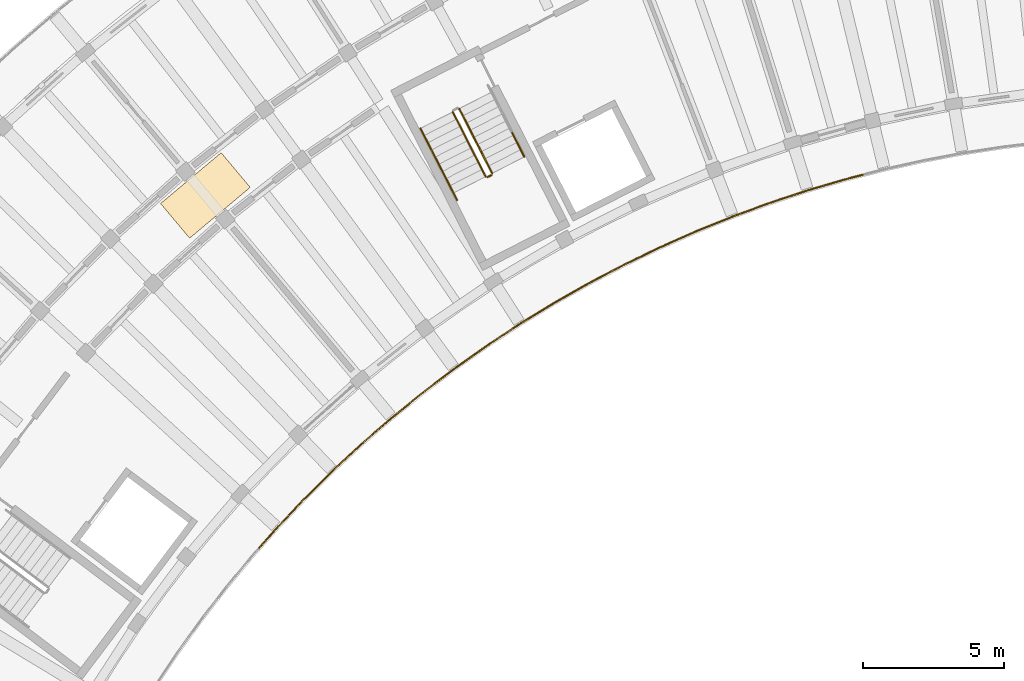
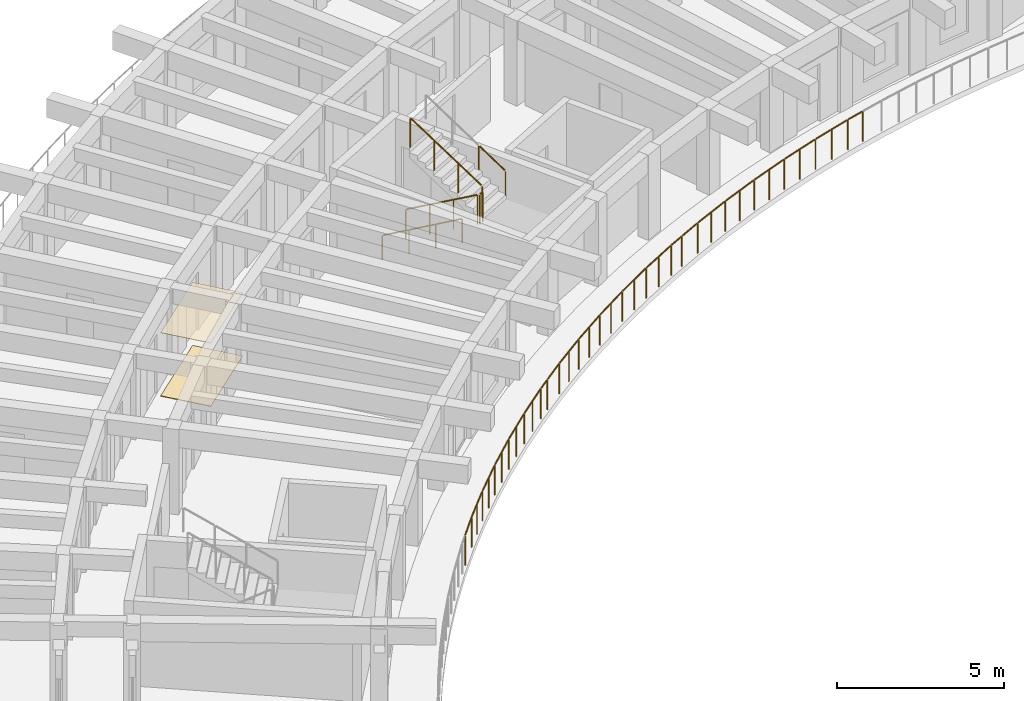
# One storey, part 72 of 83: 10 railings, 2 coverings.
"""IFC4 building model written with IfcOpenShell, lengths in metres."""

from ifc_helpers import new_model, si_unit, direction, frame, origin, origin_2d, place, context, subcontext, project, spatial, rectangle, circle, extrude, material, layer, layer_set, type_object, element, save


model = new_model("IFC4")

# Units and contexts
model_context = context("Model", 3, precision=1e-05, world=origin(), true_north=direction((0.0, 1.0)))
body_context = subcontext(model_context, "Body", "Model", "MODEL_VIEW")
ifc_project = project(units=[si_unit("LENGTHUNIT", "METRE"), si_unit("AREAUNIT", "SQUARE_METRE"), si_unit("VOLUMEUNIT", "CUBIC_METRE"), si_unit("PLANEANGLEUNIT", "RADIAN"), si_unit("MASSUNIT", "GRAM", prefix="KILO")], contexts=[model_context])

# Site, building, storey
site_placement = place(None, origin())
site = spatial("IfcSite", under=ifc_project, at=site_placement, CompositionType="ELEMENT")
building_placement = place(site_placement, origin())
building = spatial("IfcBuilding", under=site, at=building_placement, Name="Tanwirah Colonnade Gardens", CompositionType="ELEMENT")
storey_placement = place(building_placement, frame((0.0, 0.0, 25.639892578125)))
storey = spatial("IfcBuildingStorey", under=building, at=storey_placement, Name="L07", CompositionType="ELEMENT", Elevation=25.639892578125)

# Railings
ifc_material_1 = material(Name="Precast concrete C40/50", Category="concrete")
railing_type_1 = type_object("IfcRailingType", Name="BAL-EXT112", PredefinedType="BALUSTRADE", material=ifc_material_1)
railing_1_placement = place(storey_placement, frame((54.236083984375, 101.494384765625, 0.0)))
element("IfcRailing", 1, at=railing_1_placement, inside=storey, type_object=railing_type_1, Name="Block A L07 Balcony Ribbon Balustrade 2", PredefinedType="BALUSTRADE", context=body_context, shape_type="SweptSolid", body=[
    extrude(circle(Radius=0.02392578125, at=origin_2d()), frame((-0.0302734375, -0.0078125, 1.09619140625), z_axis=(-0.968166647099, -0.250306499006, 0.0), x_axis=(0.250306499006, -0.968166647099, 0.0)), (0.0, 0.0, 1.0), 0.557861328125),
    extrude(circle(Radius=0.02392578125, at=origin_2d()), frame((-0.63330078125, -0.164794921875, 1.09619140625), z_axis=(-0.959362733044, -0.282175736812, 0.0), x_axis=(0.282175736812, -0.959362733044, 0.0)), (0.0, 0.0, 1.0), 1.341796875),
    extrude(circle(Radius=0.02392578125, at=origin_2d()), frame((-1.98291015625, -0.562744140625, 1.09619140625), z_axis=(-0.949531842797, -0.313670654533, 0.0), x_axis=(0.313670654533, -0.949531842797, 0.0)), (0.0, 0.0, 1.0), 1.341552734375),
    extrude(circle(Radius=0.02392578125, at=origin_2d()), frame((-3.318359375, -1.005126953125, 1.09619140625), z_axis=(-0.93868698515, -0.344770567059, 0.0), x_axis=(0.344770567059, -0.93868698515, 0.0)), (0.0, 0.0, 1.0), 1.341796875),
    extrude(circle(Radius=0.02392578125, at=origin_2d()), frame((-4.638671875, -1.4912109375, 1.09619140625), z_axis=(-0.92683738147, -0.375463005247, 0.0), x_axis=(0.375463005247, -0.92683738147, 0.0)), (0.0, 0.0, 1.0), 1.342041015625),
    extrude(circle(Radius=0.02392578125, at=origin_2d()), frame((-5.942138671875, -2.0205078125, 1.09619140625), z_axis=(-0.913997826773, -0.40571908096, 0.0), x_axis=(0.40571908096, -0.913997826773, 0.0)), (0.0, 0.0, 1.0), 1.342041015625),
    extrude(circle(Radius=0.02392578125, at=origin_2d()), frame((-7.2275390625, -2.592529296875, 1.09619140625), z_axis=(-0.900038195948, -0.435811020783, 0.0), x_axis=(0.435811020783, -0.900038195948, 0.0)), (0.0, 0.0, 1.0), 0.779541015625),
    extrude(circle(Radius=0.02099609375, at=origin_2d()), origin(), (0.0, 0.0, 1.0), 1.069091796875),
    extrude(circle(Radius=0.02099609375, at=origin_2d()), frame((-0.6005859375, -0.1552734375, 0.0)), (0.0, 0.0, 1.0), 1.069091796875),
    extrude(circle(Radius=0.02099609375, at=origin_2d()), frame((-1.27685546875, -0.35400390625, 0.0)), (0.0, 0.0, 1.0), 1.069091796875),
    extrude(circle(Radius=0.02099609375, at=origin_2d()), frame((-1.950439453125, -0.55224609375, 0.0)), (0.0, 0.0, 1.0), 1.069091796875),
    extrude(circle(Radius=0.02099609375, at=origin_2d()), frame((-2.61962890625, -0.773193359375, 0.0)), (0.0, 0.0, 1.0), 1.069091796875),
    extrude(circle(Radius=0.02099609375, at=origin_2d()), frame((-3.286376953125, -0.993408203125, 0.0)), (0.0, 0.0, 1.0), 1.069091796875),
    extrude(circle(Radius=0.02099609375, at=origin_2d()), frame((-3.9482421875, -1.236328125, 0.0)), (0.0, 0.0, 1.0), 1.069091796875),
    extrude(circle(Radius=0.02099609375, at=origin_2d()), frame((-4.607177734375, -1.478515625, 0.0)), (0.0, 0.0, 1.0), 1.069091796875),
    extrude(circle(Radius=0.02099609375, at=origin_2d()), frame((-5.260498046875, -1.7431640625, 0.0)), (0.0, 0.0, 1.0), 1.069091796875),
    extrude(circle(Radius=0.02099609375, at=origin_2d()), frame((-5.911376953125, -2.0068359375, 0.0)), (0.0, 0.0, 1.0), 1.069091796875),
    extrude(circle(Radius=0.02099609375, at=origin_2d()), frame((-6.555419921875, -2.292724609375, 0.0)), (0.0, 0.0, 1.0), 1.069091796875),
    extrude(circle(Radius=0.02099609375, at=origin_2d()), frame((-7.197265625, -2.57763671875, 0.0)), (0.0, 0.0, 1.0), 1.069091796875),
    extrude(circle(Radius=0.02099609375, at=origin_2d()), frame((-7.957275390625, -2.94580078125, 0.0)), (0.0, 0.0, 1.0), 1.069091796875),
])
railing_2_placement = place(storey_placement, frame((46.27880859375, 98.548583984375, 0.0)))
element("IfcRailing", 2, at=railing_2_placement, inside=storey, type_object=railing_type_1, Name="Block A L07 Balcony Ribbon Balustrade 3", PredefinedType="BALUSTRADE", context=body_context, shape_type="SweptSolid", body=[
    extrude(circle(Radius=0.02392578125, at=origin_2d()), frame((-0.028076171875, -0.013671875, 1.09619140625), z_axis=(-0.900252558568, -0.435368040619, 0.0), x_axis=(0.435368040619, -0.900252558568, 0.0)), (0.0, 0.0, 1.0), 0.5),
    extrude(circle(Radius=0.02392578125, at=origin_2d()), frame((-0.5361328125, -0.2607421875, 1.09619140625), z_axis=(-0.885204649416, -0.465201814972, 0.0), x_axis=(0.465201814972, -0.885204649416, 0.0)), (0.0, 0.0, 1.0), 1.341796875),
    extrude(circle(Radius=0.02392578125, at=origin_2d()), frame((-1.78125, -0.916015625, 1.09619140625), z_axis=(-0.869342839865, -0.494209496848, 0.0), x_axis=(0.494209496848, -0.869342839865, 0.0)), (0.0, 0.0, 1.0), 1.342041015625),
    extrude(circle(Radius=0.02392578125, at=origin_2d()), frame((-3.00390625, -1.6123046875, 1.09619140625), z_axis=(-0.852623736113, -0.522525372223, 0.0), x_axis=(0.522525372223, -0.852623736113, 0.0)), (0.0, 0.0, 1.0), 1.342041015625),
    extrude(circle(Radius=0.02392578125, at=origin_2d()), frame((-4.203125, -2.34814453125, 1.09619140625), z_axis=(-0.834927342507, -0.550360184547, 0.0), x_axis=(0.550360184547, -0.834927342507, 0.0)), (0.0, 0.0, 1.0), 1.341796875),
    extrude(circle(Radius=0.02392578125, at=origin_2d()), frame((-5.37744140625, -3.12353515625, 1.09619140625), z_axis=(-0.816321661452, -0.577597563226, 0.0), x_axis=(0.577597563226, -0.816321661452, 0.0)), (0.0, 0.0, 1.0), 1.341552734375),
    extrude(circle(Radius=0.02392578125, at=origin_2d()), frame((-6.525146484375, -3.936767578125, 1.09619140625), z_axis=(-0.796799330669, -0.604244012502, 0.0), x_axis=(0.604244012502, -0.796799330669, 0.0)), (0.0, 0.0, 1.0), 0.837646484375),
    extrude(circle(Radius=0.02099609375, at=origin_2d()), origin(), (0.0, 0.0, 1.0), 1.069091796875),
    extrude(circle(Radius=0.02099609375, at=origin_2d()), frame((-0.50634765625, -0.244873046875, 0.0)), (0.0, 0.0, 1.0), 1.069091796875),
    extrude(circle(Radius=0.02099609375, at=origin_2d()), frame((-1.130126953125, -0.57275390625, 0.0)), (0.0, 0.0, 1.0), 1.069091796875),
    extrude(circle(Radius=0.02099609375, at=origin_2d()), frame((-1.751708984375, -0.8994140625, 0.0)), (0.0, 0.0, 1.0), 1.069091796875),
    extrude(circle(Radius=0.02099609375, at=origin_2d()), frame((-2.36474609375, -1.24755859375, 0.0)), (0.0, 0.0, 1.0), 1.069091796875),
    extrude(circle(Radius=0.02099609375, at=origin_2d()), frame((-2.97509765625, -1.5947265625, 0.0)), (0.0, 0.0, 1.0), 1.069091796875),
    extrude(circle(Radius=0.02099609375, at=origin_2d()), frame((-3.576171875, -1.962890625, 0.0)), (0.0, 0.0, 1.0), 1.069091796875),
    extrude(circle(Radius=0.02099609375, at=origin_2d()), frame((-4.1748046875, -2.329833984375, 0.0)), (0.0, 0.0, 1.0), 1.069091796875),
    extrude(circle(Radius=0.02099609375, at=origin_2d()), frame((-4.76318359375, -2.717529296875, 0.0)), (0.0, 0.0, 1.0), 1.069091796875),
    extrude(circle(Radius=0.02099609375, at=origin_2d()), frame((-5.349609375, -3.10400390625, 0.0)), (0.0, 0.0, 1.0), 1.069091796875),
    extrude(circle(Radius=0.02099609375, at=origin_2d()), frame((-5.9248046875, -3.510986328125, 0.0)), (0.0, 0.0, 1.0), 1.069091796875),
    extrude(circle(Radius=0.02099609375, at=origin_2d()), frame((-6.498046875, -3.91650390625, 0.0)), (0.0, 0.0, 1.0), 1.069091796875),
    extrude(circle(Radius=0.02099609375, at=origin_2d()), frame((-7.217529296875, -4.4619140625, 0.0)), (0.0, 0.0, 1.0), 1.069091796875),
])
railing_3_placement = place(storey_placement, frame((39.061279296875, 94.086669921875, 0.0)))
element("IfcRailing", 3, at=railing_3_placement, inside=storey, type_object=railing_type_1, Name="Block A L07 Balcony Ribbon Balustrade 4", PredefinedType="BALUSTRADE", context=body_context, shape_type="SweptSolid", body=[
    extrude(circle(Radius=0.02392578125, at=origin_2d()), frame((-0.02490234375, -0.018798828125, 1.09619140625), z_axis=(-0.796852005176, -0.604174545845, 0.0), x_axis=(0.604174545845, -0.796852005176, 0.0)), (0.0, 0.0, 1.0), 0.44189453125),
    extrude(circle(Radius=0.02392578125, at=origin_2d()), frame((-0.427978515625, -0.325927734375, 1.09619140625), z_axis=(-0.776491375378, -0.630127879056, 0.0), x_axis=(0.630127879056, -0.776491375378, 0.0)), (0.0, 0.0, 1.0), 1.342041015625),
    extrude(circle(Radius=0.02392578125, at=origin_2d()), frame((-1.52001953125, -1.21337890625, 1.09619140625), z_axis=(-0.755402192857, -0.655261418845, 0.0), x_axis=(0.655261418845, -0.755402192857, 0.0)), (0.0, 0.0, 1.0), 1.341796875),
    extrude(circle(Radius=0.02392578125, at=origin_2d()), frame((-2.58203125, -2.135986328125, 1.09619140625), z_axis=(-0.73336899588, -0.679830799451, 0.0), x_axis=(0.679830799451, -0.73336899588, 0.0)), (0.0, 0.0, 1.0), 1.342041015625),
    extrude(circle(Radius=0.02392578125, at=origin_2d()), frame((-3.61328125, -3.09326171875, 1.09619140625), z_axis=(-0.710488556831, -0.703708754111, 0.0), x_axis=(0.703708754111, -0.710488556831, 0.0)), (0.0, 0.0, 1.0), 1.341796875),
    extrude(circle(Radius=0.02392578125, at=origin_2d()), frame((-4.612060546875, -4.084228515625, 1.09619140625), z_axis=(-0.687011382404, -0.726646654466, 0.0), x_axis=(0.726646654466, -0.687011382404, 0.0)), (0.0, 0.0, 1.0), 1.341796875),
    extrude(circle(Radius=0.02392578125, at=origin_2d()), frame((-5.577880859375, -5.107421875, 1.09619140625), z_axis=(-0.662590378068, -0.74898196967, 0.0), x_axis=(0.74898196967, -0.662590378068, 0.0)), (0.0, 0.0, 1.0), 0.8955078125),
    extrude(circle(Radius=0.02099609375, at=origin_2d()), origin(), (0.0, 0.0, 1.0), 1.069091796875),
    extrude(circle(Radius=0.02099609375, at=origin_2d()), frame((-0.40185546875, -0.3046875, 0.0)), (0.0, 0.0, 1.0), 1.069091796875),
    extrude(circle(Radius=0.02099609375, at=origin_2d()), frame((-0.94921875, -0.74853515625, 0.0)), (0.0, 0.0, 1.0), 1.069091796875),
    extrude(circle(Radius=0.02099609375, at=origin_2d()), frame((-1.494384765625, -1.191162109375, 0.0)), (0.0, 0.0, 1.0), 1.069091796875),
    extrude(circle(Radius=0.02099609375, at=origin_2d()), frame((-2.02685546875, -1.65283203125, 0.0)), (0.0, 0.0, 1.0), 1.069091796875),
    extrude(circle(Radius=0.02099609375, at=origin_2d()), frame((-2.55712890625, -2.113037109375, 0.0)), (0.0, 0.0, 1.0), 1.069091796875),
    extrude(circle(Radius=0.02099609375, at=origin_2d()), frame((-3.07421875, -2.59228515625, 0.0)), (0.0, 0.0, 1.0), 1.069091796875),
    extrude(circle(Radius=0.02099609375, at=origin_2d()), frame((-3.589111328125, -3.069580078125, 0.0)), (0.0, 0.0, 1.0), 1.069091796875),
    extrude(circle(Radius=0.02099609375, at=origin_2d()), frame((-4.08984375, -3.5654296875, 0.0)), (0.0, 0.0, 1.0), 1.069091796875),
    extrude(circle(Radius=0.02099609375, at=origin_2d()), frame((-4.5888671875, -4.0595703125, 0.0)), (0.0, 0.0, 1.0), 1.069091796875),
    extrude(circle(Radius=0.02099609375, at=origin_2d()), frame((-5.072998046875, -4.57177734375, 0.0)), (0.0, 0.0, 1.0), 1.069091796875),
    extrude(circle(Radius=0.02099609375, at=origin_2d()), frame((-5.555419921875, -5.08203125, 0.0)), (0.0, 0.0, 1.0), 1.069091796875),
    extrude(circle(Radius=0.02099609375, at=origin_2d()), frame((-6.19189453125, -5.801513671875, 0.0)), (0.0, 0.0, 1.0), 1.069091796875),
])

# Coverings
ifc_material_2 = material(Name="Acoustic perforated gypsum ceiling board")
ifc_layer_1 = layer(ifc_material_2, 0.014892578125)
ifc_layer_set_1 = layer_set([ifc_layer_1], Name="Acoustic perforated gypsum ceiling board")
covering_type_1 = type_object("IfcCoveringType", Name="COV-CEIL15", PredefinedType="CEILING", material=ifc_layer_set_1)
covering_1_placement = place(storey_placement, frame((30.96435546875, 100.761962890625, 2.3125), z_axis=(0.0, 0.0, 1.0), x_axis=(-0.766044443119, -0.642787609687, 0.0)))
element("IfcCovering", 4, at=covering_1_placement, inside=storey, type_object=covering_type_1, Name="Block A L07 Corridor Acoustic Ceiling", PredefinedType="CEILING", context=body_context, shape_type="SweptSolid", body=[
    extrude(rectangle(XDim=2.800048828125, YDim=1.60009765625, at=origin_2d()), origin(), (0.0, 0.0, 1.0), 0.014892578125),
])
ifc_material_3 = material(Name="Honed Abu Dhabi limestone terrazzo flooring", Category="masonry")
ifc_layer_2 = layer(ifc_material_3, 0.02001953125)
ifc_layer_set_2 = layer_set([ifc_layer_2], Name="Honed Abu Dhabi limestone terrazzo flooring")
covering_type_2 = type_object("IfcCoveringType", Name="COV-FLR20", PredefinedType="FLOORING", material=ifc_layer_set_2)
covering_2_placement = place(storey_placement, frame((30.96435546875, 100.761962890625, 0.0), z_axis=(0.0, 0.0, 1.0), x_axis=(-0.766044443119, -0.642787609687, 0.0)))
element("IfcCovering", 5, at=covering_2_placement, inside=storey, type_object=covering_type_2, Name="Block A L07 Corridor Terrazzo Flooring", PredefinedType="FLOORING", context=body_context, shape_type="SweptSolid", body=[
    extrude(rectangle(XDim=2.800048828125, YDim=1.60009765625, at=origin_2d()), origin(), (0.0, 0.0, 1.0), 0.02001953125),
])

# Railings
ifc_material_4 = material(Name="Powder-coated galvanized steel", Category="steel")
railing_type_2 = type_object("IfcRailingType", Name="GRD-ST110", PredefinedType="GUARDRAIL", material=ifc_material_4)
railing_4_placement = place(storey_placement, frame((39.718994140625, 103.715576171875, 0.168212890625)))
element("IfcRailing", 6, at=railing_4_placement, inside=storey, type_object=railing_type_2, Name="L07 ST-A1 stair guard 1", PredefinedType="GUARDRAIL", context=body_context, shape_type="SweptSolid", body=[
    extrude(circle(Radius=0.02392578125, at=origin_2d()), frame((0.01220703125, -0.02392578125, 1.092041015625), z_axis=(0.391052831089, -0.767591854021, 0.507819287678), x_axis=(0.891032232724, 0.453940040365, 0.0)), (0.0, 0.0, 1.0), 2.914794921875),
    extrude(circle(Radius=0.02099609375, at=origin_2d()), origin(), (0.0, 0.0, 1.0), 1.049072265625),
    extrude(circle(Radius=0.02099609375, at=origin_2d()), frame((0.38818359375, -0.76171875, 0.50390625)), (0.0, 0.0, 1.0), 1.049072265625),
    extrude(circle(Radius=0.02099609375, at=origin_2d()), frame((0.776123046875, -1.523681640625, 1.008056640625)), (0.0, 0.0, 1.0), 1.049072265625),
    extrude(circle(Radius=0.02099609375, at=origin_2d()), frame((1.164306640625, -2.285400390625, 1.511962890625)), (0.0, 0.0, 1.0), 1.049072265625),
])
railing_5_placement = place(storey_placement, frame((40.95068359375, 101.408203125, 1.68017578125)))
element("IfcRailing", 7, at=railing_5_placement, inside=storey, type_object=railing_type_2, Name="L07 ST-A1 stair guard 2", PredefinedType="GUARDRAIL", context=body_context, shape_type="SweptSolid", body=[
    extrude(circle(Radius=0.02392578125, at=origin_2d()), frame((0.02783203125, 0.01416015625, 1.076171875), z_axis=(0.89073666619, 0.4545197372, 0.0), x_axis=(-0.4545197372, 0.89073666619, 0.0)), (0.0, 0.0, 1.0), 0.09765625),
    extrude(circle(Radius=0.02099609375, at=origin_2d()), origin(), (0.0, 0.0, 1.0), 1.049072265625),
    extrude(circle(Radius=0.02099609375, at=origin_2d()), frame((0.142578125, 0.07275390625, 0.0)), (0.0, 0.0, 1.0), 1.049072265625),
])
railing_6_placement = place(storey_placement, frame((41.114990234375, 101.548095703125, 1.84814453125)))
element("IfcRailing", 8, at=railing_6_placement, inside=storey, type_object=railing_type_2, Name="L07 ST-A1 stair guard 3", PredefinedType="GUARDRAIL", context=body_context, shape_type="SweptSolid", body=[
    extrude(circle(Radius=0.02392578125, at=origin_2d()), frame((-0.01220703125, 0.02392578125, 1.092041015625), z_axis=(-0.3911222872, 0.767567239095, 0.507803003067), x_axis=(-0.890993730975, -0.45401560696, 0.0)), (0.0, 0.0, 1.0), 2.9150390625),
    extrude(circle(Radius=0.02099609375, at=origin_2d()), origin(), (0.0, 0.0, 1.0), 1.049072265625),
    extrude(circle(Radius=0.02099609375, at=origin_2d()), frame((-0.38818359375, 0.76171875, 0.50390625)), (0.0, 0.0, 1.0), 1.049072265625),
    extrude(circle(Radius=0.02099609375, at=origin_2d()), frame((-0.7763671875, 1.523681640625, 1.008056640625)), (0.0, 0.0, 1.0), 1.049072265625),
    extrude(circle(Radius=0.02099609375, at=origin_2d()), frame((-1.16455078125, 2.285400390625, 1.511962890625)), (0.0, 0.0, 1.0), 1.049072265625),
])
ifc_material_5 = material(Name="Brushed bronze stainless steel", Category="steel")
railing_type_3 = type_object("IfcRailingType", Name="HR-ST090", PredefinedType="HANDRAIL", material=ifc_material_5)
railing_7_placement = place(storey_placement, frame((38.578369140625, 103.134521484375, 0.168212890625)))
element("IfcRailing", 9, at=railing_7_placement, inside=storey, type_object=railing_type_3, Name="L07 ST-A1 stair handrail 1", PredefinedType="HANDRAIL", context=body_context, shape_type="SweptSolid", body=[
    extrude(circle(Radius=0.02392578125, at=origin_2d()), frame((0.01220703125, -0.02392578125, 0.891845703125), z_axis=(0.390051618152, -0.765534245474, 0.511680617361), x_axis=(0.891010084603, 0.453983511965, 0.0)), (0.0, 0.0, 1.0), 1.04345703125),
    extrude(circle(Radius=0.02099609375, at=origin_2d()), origin(), (0.0, 0.0, 1.0), 0.848876953125),
    extrude(circle(Radius=0.02099609375, at=origin_2d()), frame((0.431396484375, -0.8466796875, 0.56591796875)), (0.0, 0.0, 1.0), 0.848876953125),
])
railing_8_placement = place(storey_placement, frame((39.009765625, 102.287841796875, 0.734130859375)))
element("IfcRailing", 10, at=railing_8_placement, inside=storey, type_object=railing_type_3, Name="L07 ST-A1 stair handrail 2", PredefinedType="HANDRAIL", context=body_context, shape_type="SweptSolid", body=[
    extrude(circle(Radius=0.02392578125, at=origin_2d()), frame((0.01220703125, -0.02392578125, 0.891845703125), z_axis=(0.38993033558, -0.765508761867, 0.511811165275), x_axis=(0.891061070925, 0.453883429839, 0.0)), (0.0, 0.0, 1.0), 1.043212890625),
    extrude(circle(Radius=0.02099609375, at=origin_2d()), origin(), (0.0, 0.0, 1.0), 0.848876953125),
    extrude(circle(Radius=0.02099609375, at=origin_2d()), frame((0.43115234375, -0.846435546875, 0.56591796875)), (0.0, 0.0, 1.0), 0.848876953125),
])
railing_9_placement = place(storey_placement, frame((39.44091796875, 101.44140625, 1.300048828125)))
element("IfcRailing", 11, at=railing_9_placement, inside=storey, type_object=railing_type_3, Name="L07 ST-A1 stair handrail 3", PredefinedType="HANDRAIL", context=body_context, shape_type="SweptSolid", body=[
    extrude(circle(Radius=0.02392578125, at=origin_2d()), frame((0.01220703125, -0.02392578125, 0.891845703125), z_axis=(0.390073458003, -0.765356354779, 0.511930022133), x_axis=(0.890957114254, 0.454087459154, 0.0)), (0.0, 0.0, 1.0), 1.04345703125),
    extrude(circle(Radius=0.02099609375, at=origin_2d()), origin(), (0.0, 0.0, 1.0), 0.848876953125),
    extrude(circle(Radius=0.02099609375, at=origin_2d()), frame((0.431396484375, -0.846435546875, 0.566162109375)), (0.0, 0.0, 1.0), 0.848876953125),
])
railing_10_placement = place(storey_placement, frame((42.255615234375, 102.129150390625, 1.84814453125)))
element("IfcRailing", 12, at=railing_10_placement, inside=storey, type_object=railing_type_3, Name="L07 ST-A1 stair handrail 4", PredefinedType="HANDRAIL", context=body_context, shape_type="SweptSolid", body=[
    extrude(circle(Radius=0.02392578125, at=origin_2d()), frame((-0.01220703125, 0.02392578125, 0.891845703125), z_axis=(-0.390117538533, 0.765442844423, 0.51176709356), x_axis=(-0.890957114254, -0.454087459154, 0.0)), (0.0, 0.0, 1.0), 1.043212890625),
    extrude(circle(Radius=0.02099609375, at=origin_2d()), origin(), (0.0, 0.0, 1.0), 0.848876953125),
    extrude(circle(Radius=0.02099609375, at=origin_2d()), frame((-0.431396484375, 0.846435546875, 0.56591796875)), (0.0, 0.0, 1.0), 0.848876953125),
])

save(model, "model.ifc")
